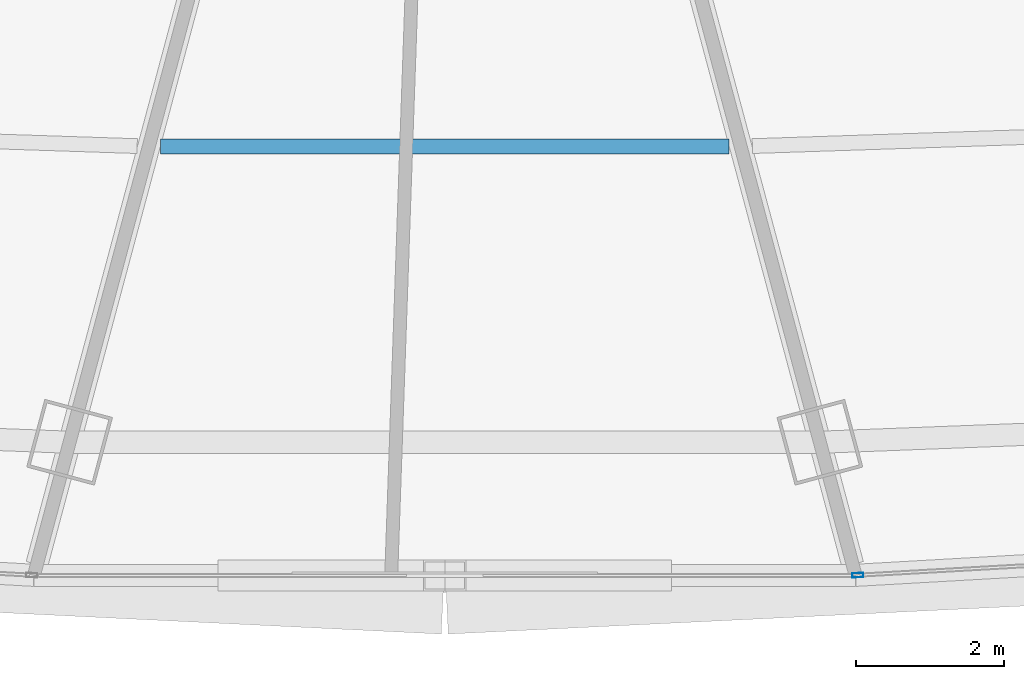
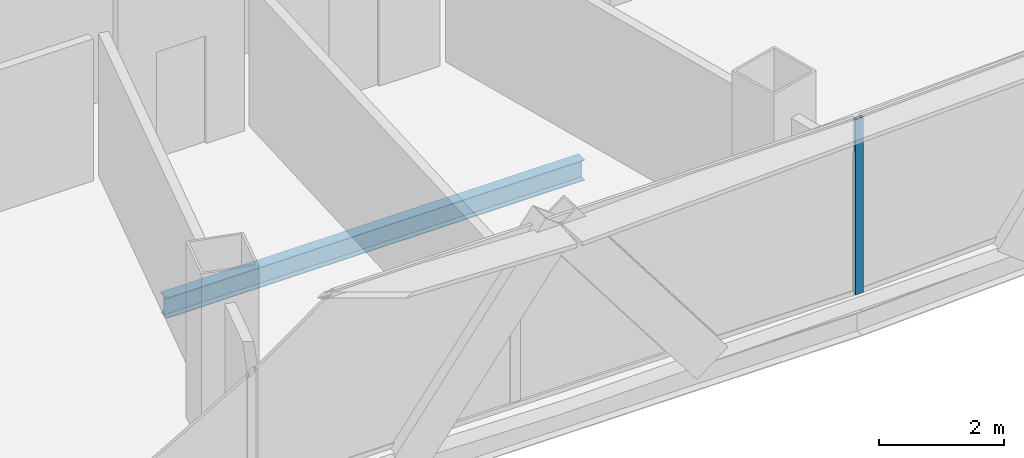
# One storey, part 12 of 42: 1 beam, 1 member, 1 element without a shape of its own.
"""IFC4 building model written with IfcOpenShell, lengths in metres."""

from ifc_helpers import new_model, si_unit, direction, frame, origin, origin_2d, place, context, subcontext, project, spatial, hollow_rectangle, i_section, extrude, source, transform, mapped, material, layer, layer_set, material_profile, profile_set, type_object, element, aggregate, save


model = new_model("IFC4")

# Units and contexts
model_context = context("Model", 3, precision=1e-05, world=origin(), true_north=direction((0.0, 1.0)))
body_context = subcontext(model_context, "Body", "Model", "MODEL_VIEW")
ifc_project = project(units=[si_unit("LENGTHUNIT", "METRE"), si_unit("AREAUNIT", "SQUARE_METRE"), si_unit("VOLUMEUNIT", "CUBIC_METRE"), si_unit("PLANEANGLEUNIT", "RADIAN"), si_unit("MASSUNIT", "GRAM", prefix="KILO"), si_unit("THERMODYNAMICTEMPERATUREUNIT", "KELVIN"), si_unit("POWERUNIT", "WATT")], contexts=[model_context])

# Site, building, storey
site_placement = place(None, origin())
site = spatial("IfcSite", under=ifc_project, at=site_placement, CompositionType="ELEMENT")
building_placement = place(site_placement, origin())
building = spatial("IfcBuilding", under=site, at=building_placement, Name="Yunzhuo Pagoda Commons", CompositionType="ELEMENT")
storey_placement = place(building_placement, frame((0.0, 0.0, 133.510009765625)))
storey = spatial("IfcBuildingStorey", under=building, at=storey_placement, Name="L33", CompositionType="ELEMENT", Elevation=133.510009765625)

# Beam
ifc_material_1 = material(Name="Structural steel Q355B", Category="steel")
ifc_material_profile_1 = material_profile(ifc_material_1, i_section(OverallWidth=0.199951171875, OverallDepth=0.39990234375, WebThickness=0.008056640625, FlangeThickness=0.012939453125, at=origin_2d()), Name="Structural steel Q355B")
ifc_profile_set_1 = profile_set([ifc_material_profile_1], Name="Structural steel Q355B")
beam_type = type_object("IfcBeamType", Name="B-JS1 Joist HN 400x200x8x13", PredefinedType="JOIST", material=ifc_profile_set_1)
shared_shape_1 = source(origin(), body_context, "Body", "SweptSolid", [
    extrude(i_section(OverallWidth=0.199951171875, OverallDepth=0.39990234375, WebThickness=0.008056640625, FlangeThickness=0.012939453125, at=origin_2d()), origin(), (0.0, 0.0, 1.0), 7.7041015625),
])
beam_placement = place(storey_placement, frame((44.14794921875, 18.730712890625, -0.4599609375), z_axis=(1.0, 0.0, 0.0), x_axis=(0.0, 1.0, 0.0)))
element("IfcBeam", 1, at=beam_placement, inside=storey, type_object=beam_type, Name="L33 composite ring joist 2.2", PredefinedType="JOIST", context=body_context, shape_type="MappedRepresentation", body=[
    mapped(shared_shape_1, transform((0.0, 0.0, 0.0), scale=1.0)),
])

# Curtain wall, member
ifc_material_2 = material(Name="Anodized aluminium 6063-T6", Category="aluminium")
ifc_layer = layer(ifc_material_2, 0.14990234375)
ifc_layer_set = layer_set([ifc_layer], Name="Anodized aluminium 6063-T6")
curtain_wall_type = type_object("IfcCurtainWallType", Name="CW-MID Mid-Zone Ribbon Curtain Wall", PredefinedType="NOTDEFINED", material=ifc_layer_set)
curtain_wall_placement = place(storey_placement, origin())
curtain_wall = element("IfcCurtainWall", 2, at=curtain_wall_placement, inside=storey, type_object=curtain_wall_type, Name="L33 curtain wall CW-L33-F1B4", PredefinedType="NOTDEFINED")
ifc_material_profile_2 = material_profile(ifc_material_2, hollow_rectangle(XDim=0.06005859375, YDim=0.14990234375, WallThickness=0.00390625, at=origin_2d()), Name="Anodized aluminium 6063-T6")
ifc_profile_set_2 = profile_set([ifc_material_profile_2], Name="Anodized aluminium 6063-T6")
member_type = type_object("IfcMemberType", Name="CW-MID-M Mullion RHS 150x60x4", PredefinedType="MULLION", material=ifc_profile_set_2)
shared_shape_2 = source(origin(), body_context, "Body", "SweptSolid", [
    extrude(hollow_rectangle(XDim=0.06005859375, YDim=0.14990234375, WallThickness=0.00390625, at=origin_2d()), origin(), (0.0, 0.0, 1.0), 3.419921875),
])
member_placement = place(storey_placement, frame((53.5986328125, 12.91943359375, 0.0), z_axis=(0.0, 0.0, 1.0), x_axis=(-0.056741862165, 0.99838888269, 0.0)))
member = element("IfcMember", 3, at=member_placement, type_object=member_type, Name="CW mullion 1", PredefinedType="MULLION", context=body_context, shape_type="MappedRepresentation", body=[
    mapped(shared_shape_2, transform((0.0, 0.0, 0.0), scale=1.0)),
])
aggregate(curtain_wall, [member])

save(model, "model.ifc")
